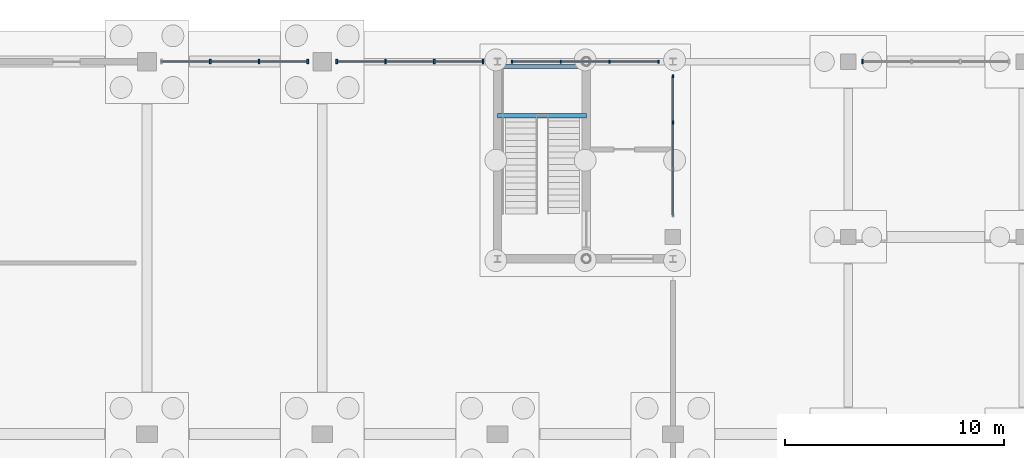
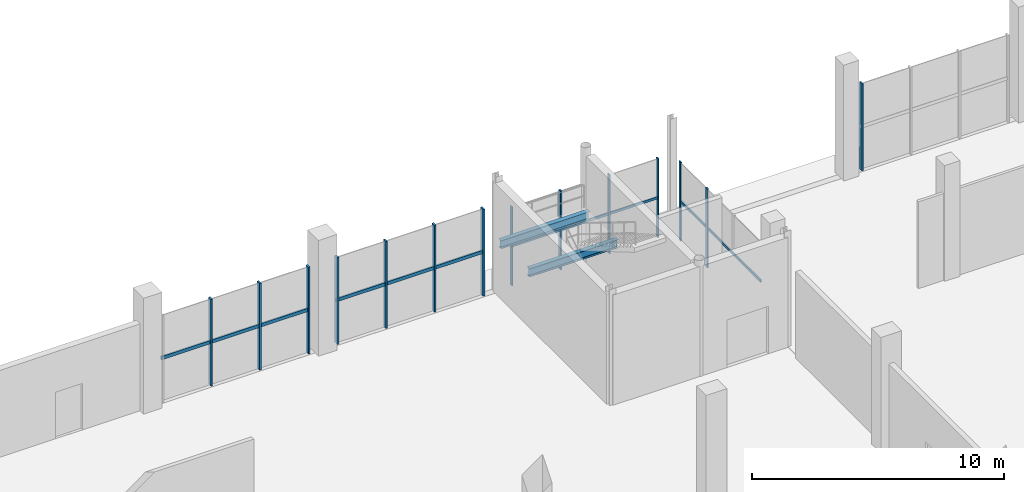
# One storey, part 61 of 98: 18 members, 2 beams, 5 elements without a shape of their own.
"""IFC4 building model written with IfcOpenShell, lengths in metres."""

from ifc_helpers import new_model, si_unit, derived_unit, direction, frame, origin, origin_2d, place, context, subcontext, project, spatial, rectangle, i_section, extrude, material, layer, layer_set, material_profile, profile_set, type_object, element, aggregate, save


model = new_model("IFC4")

# Units and contexts
model_context = context("Model", 3, precision=1e-05, world=origin(), true_north=direction((0.0, 1.0)))
body_context = subcontext(model_context, "Body", "Model", "MODEL_VIEW")
ifc_project = project(units=[si_unit("LENGTHUNIT", "METRE"), si_unit("AREAUNIT", "SQUARE_METRE"), si_unit("VOLUMEUNIT", "CUBIC_METRE"), si_unit("PLANEANGLEUNIT", "RADIAN"), si_unit("MASSUNIT", "GRAM", prefix="KILO"), si_unit("THERMODYNAMICTEMPERATUREUNIT", "KELVIN"), derived_unit("THERMALTRANSMITTANCEUNIT", [(si_unit("POWERUNIT", "WATT"), 1), (si_unit("AREAUNIT", "SQUARE_METRE"), -1), (si_unit("THERMODYNAMICTEMPERATUREUNIT", "KELVIN"), -1)])], contexts=[model_context])

# Site, building, storey
site_placement = place(None, origin())
site = spatial("IfcSite", under=ifc_project, at=site_placement, CompositionType="ELEMENT")
building_placement = place(site_placement, origin())
building = spatial("IfcBuilding", under=site, at=building_placement, Name="Haiyu Intermodal Mobility Hub", CompositionType="ELEMENT")
storey_placement = place(building_placement, origin())
storey = spatial("IfcBuildingStorey", under=building, at=storey_placement, Name="L00", CompositionType="ELEMENT", Elevation=0.0)

# Beams
ifc_material_1 = material(Name="Steel Q355C", Category="steel")
ifc_material_profile_1 = material_profile(ifc_material_1, i_section(OverallWidth=0.199951171875, OverallDepth=0.39990234375, WebThickness=0.008056640625, FlangeThickness=0.012939453125, FilletRadius=0.01611328125, at=origin_2d()), Name="HN400x200x8x13")
ifc_profile_set_1 = profile_set([ifc_material_profile_1], Name="Steel Q355C")
beam_type = type_object("IfcBeamType", Name="BM-SB08", PredefinedType="JOIST", material=ifc_profile_set_1)
for number, where, z_axis, x_axis, name in (
    (1, (154.0, 145.530029296875, 2.375), (1.0, 0.0, 0.0), (0.0, 1.0, 0.0), "Stair Half-Landing Front Beam C4-L00"),
    (2, (154.0, 147.780029296875, 2.375), (1.0, 0.0, 0.0), (0.0, 1.0, 0.0), "Stair Half-Landing Rear Beam C4-L00"),
):
    element("IfcBeam", number, at=place(storey_placement, frame(where, z_axis=z_axis, x_axis=x_axis)), inside=storey, type_object=beam_type, Name=name, PredefinedType="JOIST", context=body_context, shape_type="SweptSolid", body=[
        extrude(i_section(OverallWidth=0.199951171875, OverallDepth=0.39990234375, WebThickness=0.008056640625, FlangeThickness=0.012939453125, FilletRadius=0.01611328125, at=origin_2d()), origin(), (0.0, 0.0, 1.0), 4.050048828125),
    ])

# Curtain wall, members
ifc_material_2 = material(Name="Low-e laminated insulating glass", Category="glass")
ifc_layer_1 = layer(ifc_material_2, 0.219970703125)
ifc_layer_set_1 = layer_set([ifc_layer_1], Name="Low-e laminated insulating glass")
curtain_wall_type_1 = type_object("IfcCurtainWallType", Name="CW-CW01", PredefinedType="NOTDEFINED", material=ifc_layer_set_1)
curtain_wall_1_placement = place(storey_placement, origin())
curtain_wall_1 = element("IfcCurtainWall", 3, at=curtain_wall_1_placement, inside=storey, type_object=curtain_wall_type_1, Name="Curtain Wall CW-V4N-L00-047", PredefinedType="NOTDEFINED")
ifc_material_3 = material(Name="Anodised aluminium 6063-T6", Category="aluminium")
ifc_material_profile_2 = material_profile(ifc_material_3, rectangle(XDim=0.074951171875, YDim=0.199951171875, at=origin_2d()), Name="ALU75x200")
ifc_profile_set_2 = profile_set([ifc_material_profile_2], Name="Anodised aluminium 6063-T6")
member_type_1 = type_object("IfcMemberType", Name="CWM-ML01", PredefinedType="MULLION", material=ifc_profile_set_2)
member_1_placement = place(storey_placement, frame((145.340087890625, 148.0, 0.0), z_axis=(0.0, 0.0, 1.0), x_axis=(1.0, 0.0, 0.0)))
member_1 = element("IfcMember", 4, at=member_1_placement, type_object=member_type_1, Name="CW-V4N-L00-047-ML01", PredefinedType="MULLION", context=body_context, shape_type="SweptSolid", body=[
    extrude(rectangle(XDim=0.074951171875, YDim=0.199951171875, at=origin_2d()), origin(), (0.0, 0.0, 1.0), 4.199951171875),
])
member_2_placement = place(storey_placement, frame((143.113037109375, 148.0, 0.0), z_axis=(0.0, 0.0, 1.0), x_axis=(1.0, 0.0, 0.0)))
member_2 = element("IfcMember", 5, at=member_2_placement, type_object=member_type_1, Name="CW-V4N-L00-047-ML02", PredefinedType="MULLION", context=body_context, shape_type="SweptSolid", body=[
    extrude(rectangle(XDim=0.074951171875, YDim=0.199951171875, at=origin_2d()), origin(), (0.0, 0.0, 1.0), 4.199951171875),
])
member_3_placement = place(storey_placement, frame((140.886962890625, 148.0, 0.0), z_axis=(0.0, 0.0, 1.0), x_axis=(1.0, 0.0, 0.0)))
member_3 = element("IfcMember", 6, at=member_3_placement, type_object=member_type_1, Name="CW-V4N-L00-047-ML03", PredefinedType="MULLION", context=body_context, shape_type="SweptSolid", body=[
    extrude(rectangle(XDim=0.074951171875, YDim=0.199951171875, at=origin_2d()), origin(), (0.0, 0.0, 1.0), 4.199951171875),
])

curtain_wall_2_placement = place(storey_placement, origin())
curtain_wall_2 = element("IfcCurtainWall", 7, at=curtain_wall_2_placement, inside=storey, type_object=curtain_wall_type_1, Name="Curtain Wall CW-V4N-L00-048", PredefinedType="NOTDEFINED")
member_4_placement = place(storey_placement, frame((153.340087890625, 148.0, 0.0), z_axis=(0.0, 0.0, 1.0), x_axis=(1.0, 0.0, 0.0)))
member_4 = element("IfcMember", 8, at=member_4_placement, type_object=member_type_1, Name="CW-V4N-L00-048-ML01", PredefinedType="MULLION", context=body_context, shape_type="SweptSolid", body=[
    extrude(rectangle(XDim=0.074951171875, YDim=0.199951171875, at=origin_2d()), origin(), (0.0, 0.0, 1.0), 4.199951171875),
])
member_5_placement = place(storey_placement, frame((151.113037109375, 148.0, 0.0), z_axis=(0.0, 0.0, 1.0), x_axis=(1.0, 0.0, 0.0)))
member_5 = element("IfcMember", 9, at=member_5_placement, type_object=member_type_1, Name="CW-V4N-L00-048-ML02", PredefinedType="MULLION", context=body_context, shape_type="SweptSolid", body=[
    extrude(rectangle(XDim=0.074951171875, YDim=0.199951171875, at=origin_2d()), origin(), (0.0, 0.0, 1.0), 4.199951171875),
])
member_6_placement = place(storey_placement, frame((148.886962890625, 148.0, 0.0), z_axis=(0.0, 0.0, 1.0), x_axis=(1.0, 0.0, 0.0)))
member_6 = element("IfcMember", 10, at=member_6_placement, type_object=member_type_1, Name="CW-V4N-L00-048-ML03", PredefinedType="MULLION", context=body_context, shape_type="SweptSolid", body=[
    extrude(rectangle(XDim=0.074951171875, YDim=0.199951171875, at=origin_2d()), origin(), (0.0, 0.0, 1.0), 4.199951171875),
])
member_7_placement = place(storey_placement, frame((146.659912109375, 148.0, 0.0), z_axis=(0.0, 0.0, 1.0), x_axis=(1.0, 0.0, 0.0)))
member_7 = element("IfcMember", 11, at=member_7_placement, type_object=member_type_1, Name="CW-V4N-L00-048-ML04", PredefinedType="MULLION", context=body_context, shape_type="SweptSolid", body=[
    extrude(rectangle(XDim=0.074951171875, YDim=0.199951171875, at=origin_2d()), origin(), (0.0, 0.0, 1.0), 4.199951171875),
])

# Curtain wall, member
curtain_wall_3_placement = place(storey_placement, origin())
curtain_wall_3 = element("IfcCurtainWall", 12, at=curtain_wall_3_placement, inside=storey, type_object=curtain_wall_type_1, Name="Curtain Wall CW-V6N-L00-136", PredefinedType="NOTDEFINED")
member_8_placement = place(storey_placement, frame((170.659912109375, 148.0, 0.0), z_axis=(0.0, 0.0, 1.0), x_axis=(1.0, 0.0, 0.0)))
member_8 = element("IfcMember", 13, at=member_8_placement, type_object=member_type_1, Name="CW-V6N-L00-136-ML04", PredefinedType="MULLION", context=body_context, shape_type="SweptSolid", body=[
    extrude(rectangle(XDim=0.074951171875, YDim=0.199951171875, at=origin_2d()), origin(), (0.0, 0.0, 1.0), 4.199951171875),
])
aggregate(curtain_wall_3, [member_8])

# Curtain wall, members
ifc_layer_2 = layer(ifc_material_2, 0.199951171875)
ifc_layer_set_2 = layer_set([ifc_layer_2], Name="Low-e laminated insulating glass")
curtain_wall_type_2 = type_object("IfcCurtainWallType", Name="CW-CW03", PredefinedType="NOTDEFINED", material=ifc_layer_set_2)
curtain_wall_4_placement = place(storey_placement, origin())
curtain_wall_4 = element("IfcCurtainWall", 14, at=curtain_wall_4_placement, inside=storey, type_object=curtain_wall_type_2, Name="Curtain Wall CW-C4N-L00-063", PredefinedType="NOTDEFINED")
ifc_material_profile_3 = material_profile(ifc_material_3, rectangle(XDim=0.06005859375, YDim=0.14501953125, at=origin_2d()), Name="ALU60x145")
ifc_profile_set_3 = profile_set([ifc_material_profile_3], Name="Anodised aluminium 6063-T6")
member_type_2 = type_object("IfcMemberType", Name="CWM-ML03", PredefinedType="MULLION", material=ifc_profile_set_3)
member_9_placement = place(storey_placement, frame((161.340087890625, 148.0, 0.0), z_axis=(0.0, 0.0, 1.0), x_axis=(1.0, 0.0, 0.0)))
member_9 = element("IfcMember", 15, at=member_9_placement, type_object=member_type_2, Name="CW-C4N-L00-063-ML01", PredefinedType="MULLION", context=body_context, shape_type="SweptSolid", body=[
    extrude(rectangle(XDim=0.06005859375, YDim=0.14501953125, at=origin_2d()), origin(), (0.0, 0.0, 1.0), 3.820068359375),
])
member_10_placement = place(storey_placement, frame((159.113037109375, 148.0, 0.0), z_axis=(0.0, 0.0, 1.0), x_axis=(1.0, 0.0, 0.0)))
member_10 = element("IfcMember", 16, at=member_10_placement, type_object=member_type_2, Name="CW-C4N-L00-063-ML02", PredefinedType="MULLION", context=body_context, shape_type="SweptSolid", body=[
    extrude(rectangle(XDim=0.06005859375, YDim=0.14501953125, at=origin_2d()), origin(), (0.0, 0.0, 1.0), 3.820068359375),
])
member_11_placement = place(storey_placement, frame((156.886962890625, 148.0, 0.0), z_axis=(0.0, 0.0, 1.0), x_axis=(1.0, 0.0, 0.0)))
member_11 = element("IfcMember", 17, at=member_11_placement, type_object=member_type_2, Name="CW-C4N-L00-063-ML03", PredefinedType="MULLION", context=body_context, shape_type="SweptSolid", body=[
    extrude(rectangle(XDim=0.06005859375, YDim=0.14501953125, at=origin_2d()), origin(), (0.0, 0.0, 1.0), 3.820068359375),
])
member_12_placement = place(storey_placement, frame((154.659912109375, 148.0, 0.0), z_axis=(0.0, 0.0, 1.0), x_axis=(1.0, 0.0, 0.0)))
member_12 = element("IfcMember", 18, at=member_12_placement, type_object=member_type_2, Name="CW-C4N-L00-063-ML04", PredefinedType="MULLION", context=body_context, shape_type="SweptSolid", body=[
    extrude(rectangle(XDim=0.06005859375, YDim=0.14501953125, at=origin_2d()), origin(), (0.0, 0.0, 1.0), 3.820068359375),
])

curtain_wall_5_placement = place(storey_placement, origin())
curtain_wall_5 = element("IfcCurtainWall", 19, at=curtain_wall_5_placement, inside=storey, type_object=curtain_wall_type_2, Name="Curtain Wall CW-C4S-L00-064", PredefinedType="NOTDEFINED")
member_13_placement = place(storey_placement, frame((162.0, 145.222900390625, 0.0), z_axis=(0.0, 0.0, 1.0), x_axis=(1.0, 0.0, 0.0)))
member_13 = element("IfcMember", 20, at=member_13_placement, type_object=member_type_2, Name="CW-C4S-L00-064-ML03", PredefinedType="MULLION", context=body_context, shape_type="SweptSolid", body=[
    extrude(rectangle(XDim=0.06005859375, YDim=0.14501953125, at=origin_2d()), origin(), (0.0, 0.0, 1.0), 3.820068359375),
])
member_14_placement = place(storey_placement, frame((162.0, 147.340087890625, 0.0), z_axis=(0.0, 0.0, 1.0), x_axis=(1.0, 0.0, 0.0)))
member_14 = element("IfcMember", 21, at=member_14_placement, type_object=member_type_2, Name="CW-C4S-L00-064-ML04", PredefinedType="MULLION", context=body_context, shape_type="SweptSolid", body=[
    extrude(rectangle(XDim=0.06005859375, YDim=0.14501953125, at=origin_2d()), origin(), (0.0, 0.0, 1.0), 3.820068359375),
])

# Member
ifc_material_profile_4 = material_profile(ifc_material_3, rectangle(XDim=0.074951171875, YDim=0.159912109375, at=origin_2d()), Name="ALU75x160")
ifc_profile_set_4 = profile_set([ifc_material_profile_4], Name="Anodised aluminium 6063-T6")
member_type_3 = type_object("IfcMemberType", Name="CWM-TR01", PredefinedType="USERDEFINED", material=ifc_profile_set_4)
member_15_placement = place(storey_placement, frame((145.3798828125, 148.0, 2.10009765625), z_axis=(-1.0, 0.0, 0.0), x_axis=(0.0, -1.0, 0.0)))
member_15 = element("IfcMember", 22, at=member_15_placement, type_object=member_type_3, Name="CW-V4N-L00-047-TR01", ObjectType="TRANSOM", PredefinedType="USERDEFINED", context=body_context, shape_type="SweptSolid", body=[
    extrude(rectangle(XDim=0.074951171875, YDim=0.159912109375, at=origin_2d()), origin(), (0.0, 0.0, 1.0), 6.759765625),
])

aggregate(curtain_wall_1, [member_1, member_2, member_3, member_15])

member_16_placement = place(storey_placement, frame((153.3798828125, 148.0, 2.10009765625), z_axis=(-1.0, 0.0, 0.0), x_axis=(0.0, -1.0, 0.0)))
member_16 = element("IfcMember", 23, at=member_16_placement, type_object=member_type_3, Name="CW-V4N-L00-048-TR01", ObjectType="TRANSOM", PredefinedType="USERDEFINED", context=body_context, shape_type="SweptSolid", body=[
    extrude(rectangle(XDim=0.074951171875, YDim=0.159912109375, at=origin_2d()), origin(), (0.0, 0.0, 1.0), 6.759765625),
])

aggregate(curtain_wall_2, [member_4, member_5, member_6, member_7, member_16])

ifc_material_profile_5 = material_profile(ifc_material_3, rectangle(XDim=0.06005859375, YDim=0.114990234375, at=origin_2d()), Name="ALU60x115")
ifc_profile_set_5 = profile_set([ifc_material_profile_5], Name="Anodised aluminium 6063-T6")
member_type_4 = type_object("IfcMemberType", Name="CWM-TR03", PredefinedType="USERDEFINED", material=ifc_profile_set_5)
member_17_placement = place(storey_placement, frame((161.3798828125, 148.0, 1.909912109375), z_axis=(-1.0, 0.0, 0.0), x_axis=(0.0, -1.0, 0.0)))
member_17 = element("IfcMember", 24, at=member_17_placement, type_object=member_type_4, Name="CW-C4N-L00-063-TR01", ObjectType="TRANSOM", PredefinedType="USERDEFINED", context=body_context, shape_type="SweptSolid", body=[
    extrude(rectangle(XDim=0.06005859375, YDim=0.114990234375, at=origin_2d()), origin(), (0.0, 0.0, 1.0), 6.759765625),
])

aggregate(curtain_wall_4, [member_9, member_10, member_11, member_12, member_17])

member_18_placement = place(storey_placement, frame((162.0, 140.949951171875, 1.909912109375), z_axis=(0.0, 1.0, 0.0), x_axis=(-1.0, 0.0, 0.0)))
member_18 = element("IfcMember", 25, at=member_18_placement, type_object=member_type_4, Name="CW-C4S-L00-064-TR01", ObjectType="TRANSOM", PredefinedType="USERDEFINED", context=body_context, shape_type="SweptSolid", body=[
    extrude(rectangle(XDim=0.06005859375, YDim=0.114990234375, at=origin_2d()), origin(), (0.0, 0.0, 1.0), 6.429931640625),
])

aggregate(curtain_wall_5, [member_13, member_14, member_18])

save(model, "model.ifc")
